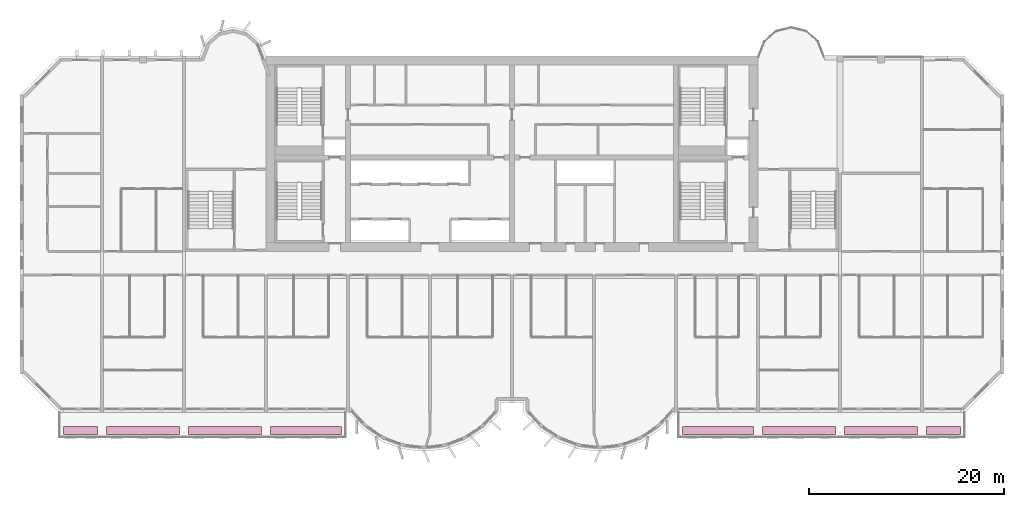
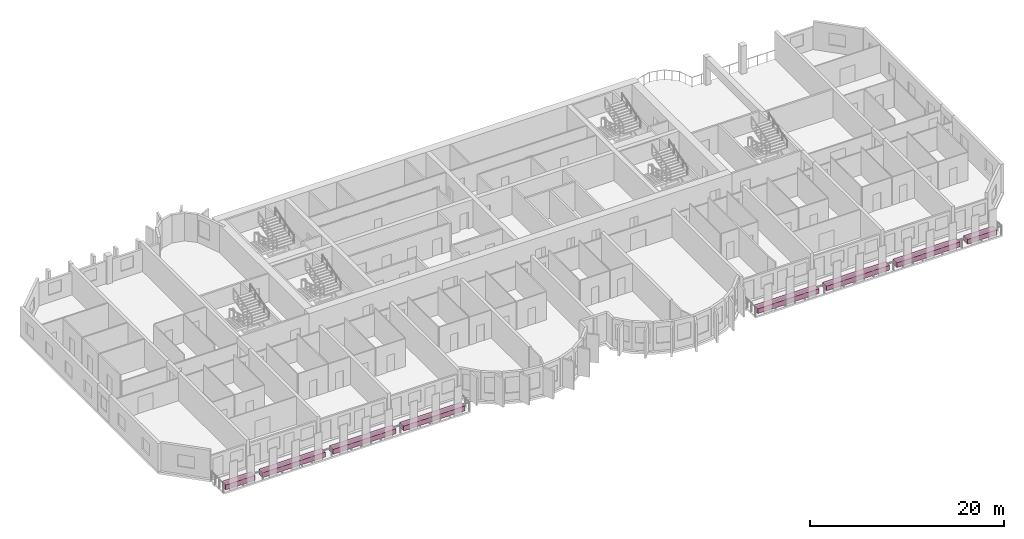
# One storey, part 14 of 14: 8 furniture elements.
"""IFC4 building model written with IfcOpenShell, lengths in metres."""

from ifc_helpers import new_model, si_unit, direction, frame, origin, origin_2d, place, context, subcontext, project, spatial, rectangle, extrude, source, transform, mapped, material, type_object, element, save


model = new_model("IFC4")

# Units and contexts
model_context = context("Model", 3, precision=1e-05, world=origin(), true_north=direction((0.0, 1.0)))
body_context = subcontext(model_context, "Body", "Model", "MODEL_VIEW")
ifc_project = project(units=[si_unit("LENGTHUNIT", "METRE"), si_unit("AREAUNIT", "SQUARE_METRE"), si_unit("VOLUMEUNIT", "CUBIC_METRE"), si_unit("PLANEANGLEUNIT", "RADIAN"), si_unit("MASSUNIT", "GRAM", prefix="KILO")], contexts=[model_context])

# Site, building, storey
site_placement = place(None, origin())
site = spatial("IfcSite", under=ifc_project, at=site_placement, CompositionType="ELEMENT")
building_placement = place(site_placement, origin())
building = spatial("IfcBuilding", under=site, at=building_placement, Name="Vanashikhar Sky Hotel", CompositionType="ELEMENT")
storey_placement = place(building_placement, frame((0.0, 0.0, 121.800048828125)))
storey = spatial("IfcBuildingStorey", under=building, at=storey_placement, Name="L29", CompositionType="ELEMENT", Elevation=121.800048828125)

# Furniture
ifc_material = material(Name="Planting soil and shrubs")
furniture_type = type_object("IfcFurnitureType", Name="Planter trough", AssemblyPlace="NOTDEFINED", PredefinedType="USERDEFINED", material=ifc_material)
shared_shape_1 = source(origin(), body_context, "Body", "SweptSolid", [
    extrude(rectangle(XDim=3.5, YDim=0.800048828125, at=origin_2d()), origin(), (0.0, 0.0, 1.0), 0.60009765625),
])
for number, where, z_axis, x_axis, name in (
    (1, (6.199951171875, 3.64990234375, -0.050048828125), (0.0, 0.0, 1.0), (1.0, 0.0, 0.0), "PLANTER with climbers"),
    (2, (94.60009765625, 3.64990234375, -0.050048828125), (0.0, 0.0, 1.0), (1.0, 0.0, 0.0), "PLANTER with climbers"),
):
    element("IfcFurniture", number, at=place(storey_placement, frame(where, z_axis=z_axis, x_axis=x_axis)), inside=storey, type_object=furniture_type, Name=name, ObjectType="PLANTER", PredefinedType="USERDEFINED", context=body_context, shape_type="MappedRepresentation", body=[
        mapped(shared_shape_1, transform((0.0, 0.0, 0.0), scale=1.0)),
    ])
shared_shape_2 = source(origin(), body_context, "Body", "SweptSolid", [
    extrude(rectangle(XDim=7.5, YDim=0.800048828125, at=origin_2d()), origin(), (0.0, 0.0, 1.0), 0.60009765625),
])
for number, where, z_axis, x_axis, name in (
    (3, (12.60009765625, 3.64990234375, -0.050048828125), (0.0, 0.0, 1.0), (1.0, 0.0, 0.0), "PLANTER with climbers"),
    (4, (21.0, 3.64990234375, -0.050048828125), (0.0, 0.0, 1.0), (1.0, 0.0, 0.0), "PLANTER with climbers"),
    (5, (79.800048828125, 3.64990234375, -0.050048828125), (0.0, 0.0, 1.0), (1.0, 0.0, 0.0), "PLANTER with climbers"),
    (6, (88.199951171875, 3.64990234375, -0.050048828125), (0.0, 0.0, 1.0), (1.0, 0.0, 0.0), "PLANTER with climbers"),
):
    element("IfcFurniture", number, at=place(storey_placement, frame(where, z_axis=z_axis, x_axis=x_axis)), inside=storey, type_object=furniture_type, Name=name, ObjectType="PLANTER", PredefinedType="USERDEFINED", context=body_context, shape_type="MappedRepresentation", body=[
        mapped(shared_shape_2, transform((0.0, 0.0, 0.0), scale=1.0)),
    ])
shared_shape_3 = source(origin(), body_context, "Body", "SweptSolid", [
    extrude(rectangle(XDim=7.300048828125, YDim=0.800048828125, at=origin_2d()), origin(), (0.0, 0.0, 1.0), 0.60009765625),
])
for number, where, z_axis, x_axis, name in (
    (7, (29.300048828125, 3.64990234375, -0.050048828125), (0.0, 0.0, 1.0), (1.0, 0.0, 0.0), "PLANTER with climbers"),
    (8, (71.5, 3.64990234375, -0.050048828125), (0.0, 0.0, 1.0), (1.0, 0.0, 0.0), "PLANTER with climbers"),
):
    element("IfcFurniture", number, at=place(storey_placement, frame(where, z_axis=z_axis, x_axis=x_axis)), inside=storey, type_object=furniture_type, Name=name, ObjectType="PLANTER", PredefinedType="USERDEFINED", context=body_context, shape_type="MappedRepresentation", body=[
        mapped(shared_shape_3, transform((0.0, 0.0, 0.0), scale=1.0)),
    ])

save(model, "model.ifc")
